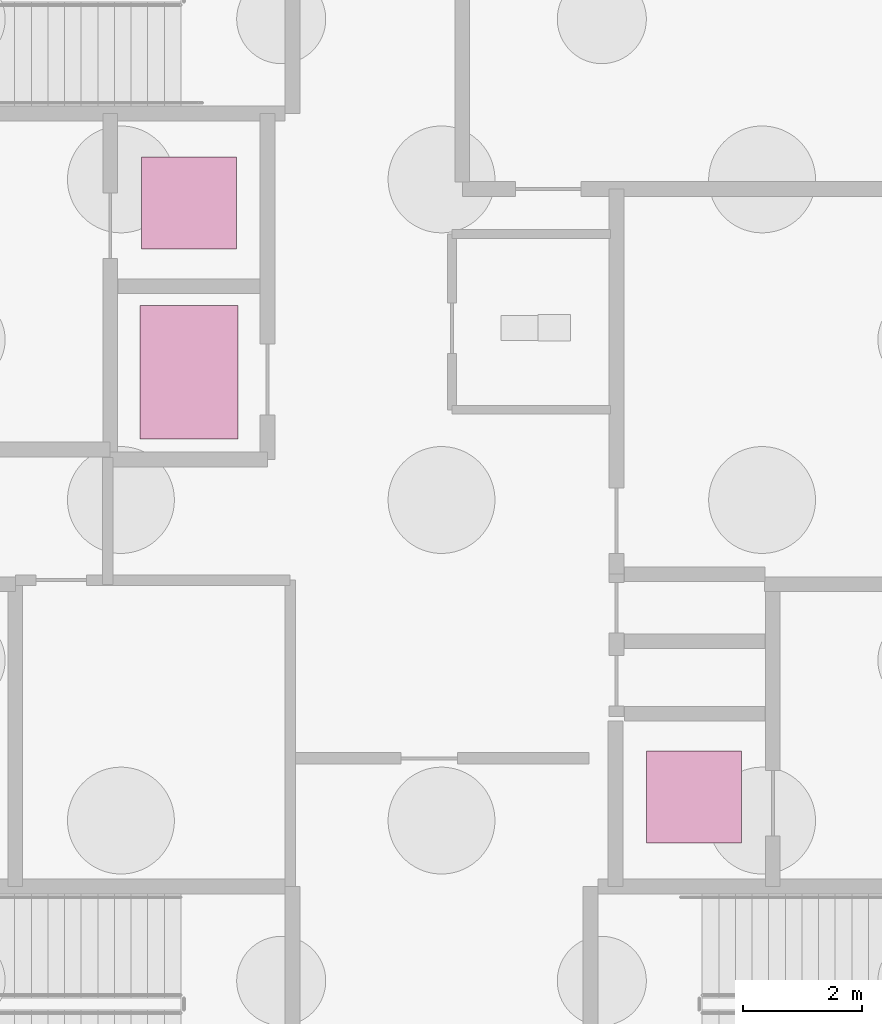
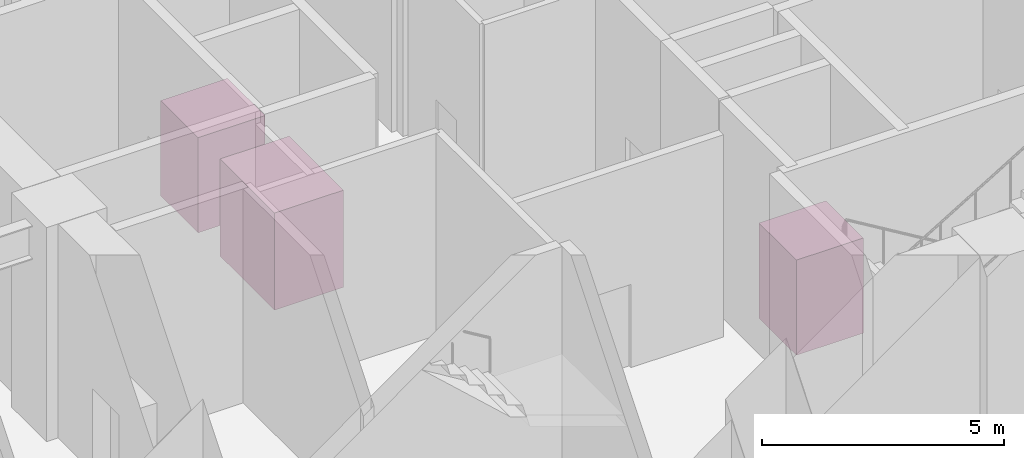
# One storey, part 9 of 9: 3 transport elements.
"""IFC4 building model written with IfcOpenShell, lengths in metres."""

from ifc_helpers import new_model, si_unit, direction, frame, origin, origin_2d, place, context, subcontext, project, spatial, rectangle, extrude, material, type_object, element, save


model = new_model("IFC4")

# Units and contexts
model_context = context("Model", 3, precision=1e-05, world=origin(), true_north=direction((0.0, 1.0)))
body_context = subcontext(model_context, "Body", "Model", "MODEL_VIEW")
ifc_project = project(units=[si_unit("LENGTHUNIT", "METRE"), si_unit("AREAUNIT", "SQUARE_METRE"), si_unit("VOLUMEUNIT", "CUBIC_METRE"), si_unit("PLANEANGLEUNIT", "RADIAN"), si_unit("MASSUNIT", "GRAM", prefix="KILO")], contexts=[model_context])

# Site, building, storey
site_placement = place(None, origin())
site = spatial("IfcSite", under=ifc_project, at=site_placement, CompositionType="ELEMENT")
building_placement = place(site_placement, origin())
building = spatial("IfcBuilding", under=site, at=building_placement, Name="Surkhivell Harbour Commons", CompositionType="ELEMENT")
storey_placement = place(building_placement, frame((0.0, 0.0, -5.39990234375)))
storey = spatial("IfcBuildingStorey", under=building, at=storey_placement, Name="B1", CompositionType="ELEMENT", Elevation=-5.39990234375)

# Transport elements
ifc_material_1 = material(Name="Fire-rated stainless steel S355 fireman lift car", Category="steel")
transport_element_type_1 = type_object("IfcTransportElementType", Name="LFT-FFL-1350", PredefinedType="ELEVATOR", material=ifc_material_1)
for number, where, z_axis, x_axis, name in (
    (1, (-4.25, 5.0, 0.0), (0.0, 0.0, 1.0), (1.0, 0.0, 0.0), "Firefighting Lift FFL1"),
    (2, (4.25, -5.0, 0.0), (0.0, 0.0, 1.0), (1.0, 0.0, 0.0), "Firefighting Lift FFL2"),
):
    element("IfcTransportElement", number, at=place(storey_placement, frame(where, z_axis=z_axis, x_axis=x_axis)), inside=storey, type_object=transport_element_type_1, Name=name, PredefinedType="ELEVATOR", context=body_context, shape_type="SweptSolid", body=[
        extrude(rectangle(XDim=1.60009765625, YDim=1.550048828125, at=origin_2d()), origin(), (0.0, 0.0, 1.0), 2.39990234375),
    ])
ifc_material_2 = material(Name="Heavy-duty stainless steel S355 stretcher service car", Category="steel")
transport_element_type_2 = type_object("IfcTransportElementType", Name="LFT-SVL-1600", PredefinedType="ELEVATOR", material=ifc_material_2)
transport_element_placement = place(storey_placement, frame((-4.25, 2.14990234375, 0.0), z_axis=(0.0, 0.0, 1.0), x_axis=(1.0, 0.0, 0.0)))
element("IfcTransportElement", 3, at=transport_element_placement, inside=storey, type_object=transport_element_type_2, Name="Service Stretcher Lift SVL1", PredefinedType="ELEVATOR", context=body_context, shape_type="SweptSolid", body=[
    extrude(rectangle(XDim=1.64990234375, YDim=2.25, at=origin_2d()), origin(), (0.0, 0.0, 1.0), 2.449951171875),
])

save(model, "model.ifc")
